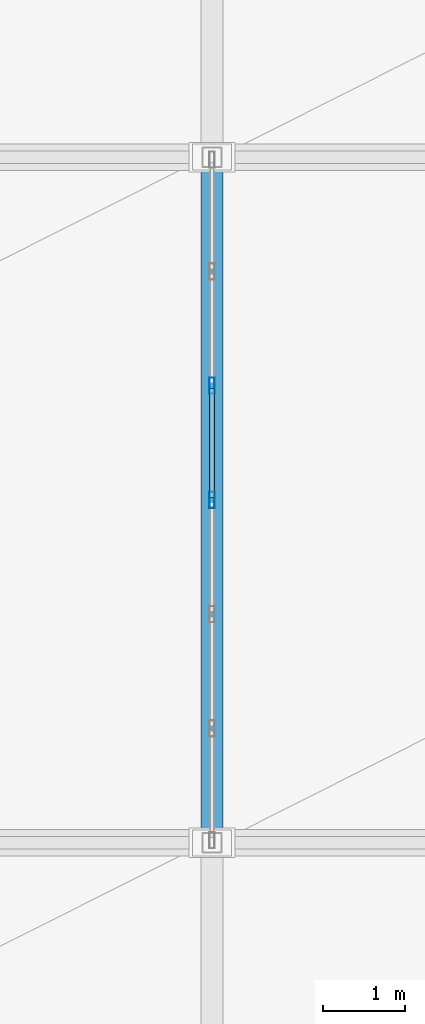
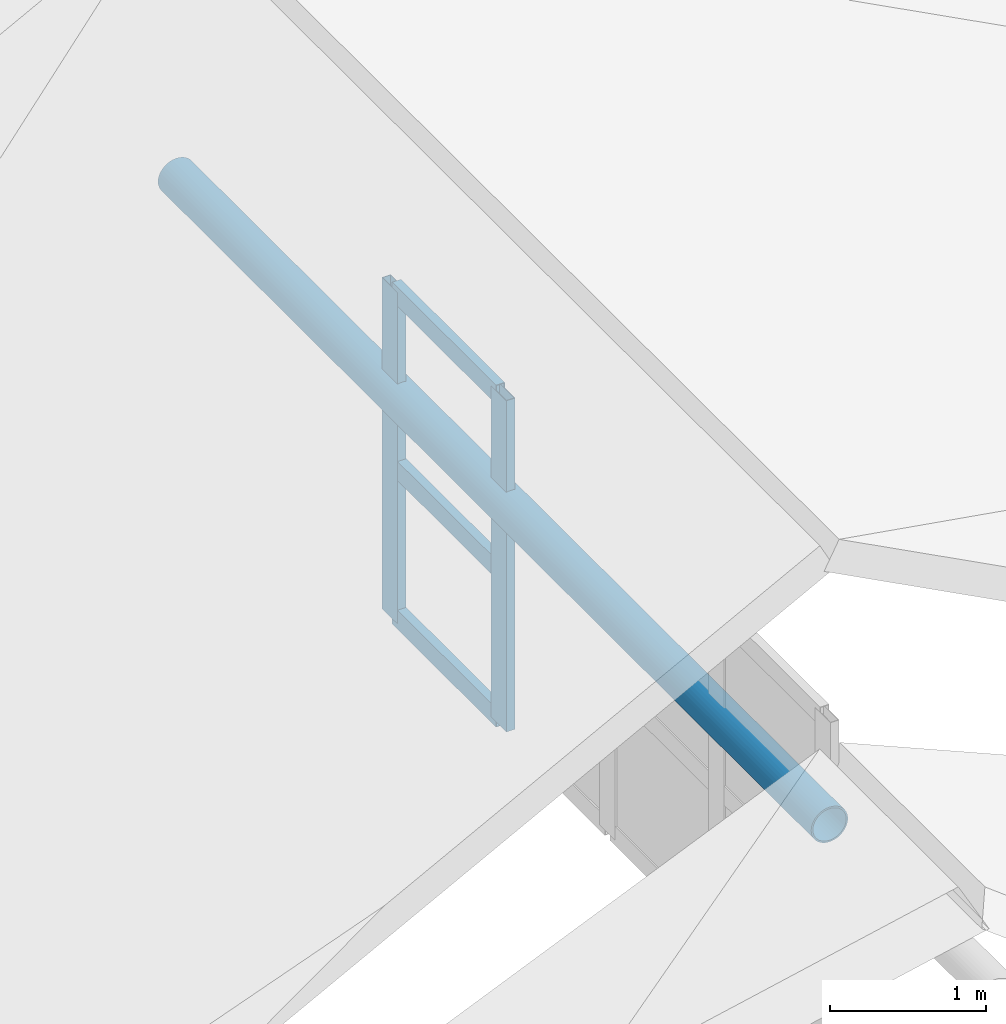
# One storey, part 18 of 76: 6 members, 1 element without a shape of its own.
"""IFC4 building model written with IfcOpenShell, lengths in metres."""

from ifc_helpers import new_model, si_unit, direction, frame, origin, origin_2d, place, context, subcontext, project, spatial, hollow_rectangle, hollow_circle, extrude, material, layer, layer_set, material_profile, profile_set, type_object, element, aggregate, save


model = new_model("IFC4")

# Units and contexts
model_context = context("Model", 3, precision=1e-05, world=origin(), true_north=direction((0.0, 1.0)))
body_context = subcontext(model_context, "Body", "Model", "MODEL_VIEW")
ifc_project = project(units=[si_unit("LENGTHUNIT", "METRE"), si_unit("AREAUNIT", "SQUARE_METRE"), si_unit("VOLUMEUNIT", "CUBIC_METRE"), si_unit("PLANEANGLEUNIT", "RADIAN"), si_unit("MASSUNIT", "GRAM", prefix="KILO")], contexts=[model_context])

# Site, building, storey
site_placement = place(None, origin())
site = spatial("IfcSite", under=ifc_project, at=site_placement, CompositionType="ELEMENT")
building_placement = place(site_placement, origin())
building = spatial("IfcBuilding", under=site, at=building_placement, Name="Krzemoval Escarpment Law Courts", CompositionType="ELEMENT")
storey_placement = place(building_placement, frame((0.0, 0.0, 20.39990234375)))
storey = spatial("IfcBuildingStorey", under=building, at=storey_placement, Name="L04", CompositionType="ELEMENT", Elevation=20.39990234375)

# Curtain wall, members
ifc_material_1 = material(Name="Aluminium 6063-T6", Category="aluminium")
ifc_layer = layer(ifc_material_1, 0.199951171875)
ifc_layer_set = layer_set([ifc_layer], Name="Aluminium 6063-T6")
curtain_wall_type = type_object("IfcCurtainWallType", Name="CW-CLER-2800", PredefinedType="USERDEFINED", material=ifc_layer_set)
curtain_wall_placement = place(storey_placement, origin())
curtain_wall = element("IfcCurtainWall", 1, at=curtain_wall_placement, inside=storey, type_object=curtain_wall_type, Name="Clerestory Curtain Wall CW-CLER-V4-02", ObjectType="UNITISED_CURTAIN_WALL", PredefinedType="USERDEFINED")
ifc_material_2 = material(Name="Aluminium 6063-T6", Category="aluminium")
ifc_material_profile_1 = material_profile(ifc_material_2, hollow_rectangle(XDim=0.06494140625, YDim=0.199951171875, WallThickness=0.00439453125, at=origin_2d()), Name="ALU M65x200")
ifc_profile_set_1 = profile_set([ifc_material_profile_1], Name="Aluminium 6063-T6")
member_type_1 = type_object("IfcMemberType", Name="CWM-65x200", PredefinedType="MULLION", material=ifc_profile_set_1)
member_1_placement = place(storey_placement, frame((25.199951171875, 61.800048828125, 4.800048828125), z_axis=(0.0, 0.0, 1.0), x_axis=(-1.0, 0.0, 0.0)))
member_1 = element("IfcMember", 2, at=member_1_placement, type_object=member_type_1, Name="CW-CLER-V4-02 mullion 4", PredefinedType="MULLION", context=body_context, shape_type="SweptSolid", body=[
    extrude(hollow_rectangle(XDim=0.06494140625, YDim=0.199951171875, WallThickness=0.00439453125, at=origin_2d()), origin(), (0.0, 0.0, 1.0), 2.60009765625),
])
member_2_placement = place(storey_placement, frame((25.199951171875, 63.199951171875, 4.800048828125), z_axis=(0.0, 0.0, 1.0), x_axis=(-1.0, 0.0, 0.0)))
member_2 = element("IfcMember", 3, at=member_2_placement, type_object=member_type_1, Name="CW-CLER-V4-02 mullion 5", PredefinedType="MULLION", context=body_context, shape_type="SweptSolid", body=[
    extrude(hollow_rectangle(XDim=0.06494140625, YDim=0.199951171875, WallThickness=0.00439453125, at=origin_2d()), origin(), (0.0, 0.0, 1.0), 2.60009765625),
])
ifc_material_3 = material(Name="Aluminium 6063-T6", Category="aluminium")
ifc_material_profile_2 = material_profile(ifc_material_3, hollow_rectangle(XDim=0.06494140625, YDim=0.14990234375, WallThickness=0.00439453125, at=origin_2d()), Name="ALU T65x150")
ifc_profile_set_2 = profile_set([ifc_material_profile_2], Name="Aluminium 6063-T6")
member_type_2 = type_object("IfcMemberType", Name="CWT-65x150", PredefinedType="USERDEFINED", material=ifc_profile_set_2)
member_3_placement = place(storey_placement, frame((25.199951171875, 61.83251953125, 4.83251953125), z_axis=(0.0, 1.0, 0.0), x_axis=(-1.0, 0.0, 0.0)))
member_3 = element("IfcMember", 4, at=member_3_placement, type_object=member_type_2, Name="CW-CLER-V4-02 transom 4.1", ObjectType="TRANSOM", PredefinedType="USERDEFINED", context=body_context, shape_type="SweptSolid", body=[
    extrude(hollow_rectangle(XDim=0.06494140625, YDim=0.14990234375, WallThickness=0.00439453125, at=origin_2d()), origin(), (0.0, 0.0, 1.0), 1.3349609375),
])
member_4_placement = place(storey_placement, frame((25.199951171875, 61.83251953125, 6.0), z_axis=(0.0, 1.0, 0.0), x_axis=(-1.0, 0.0, 0.0)))
member_4 = element("IfcMember", 5, at=member_4_placement, type_object=member_type_2, Name="CW-CLER-V4-02 transom 4.2", ObjectType="TRANSOM", PredefinedType="USERDEFINED", context=body_context, shape_type="SweptSolid", body=[
    extrude(hollow_rectangle(XDim=0.06494140625, YDim=0.14990234375, WallThickness=0.00439453125, at=origin_2d()), origin(), (0.0, 0.0, 1.0), 1.3349609375),
])
member_5_placement = place(storey_placement, frame((25.199951171875, 61.83251953125, 7.36767578125), z_axis=(0.0, 1.0, 0.0), x_axis=(-1.0, 0.0, 0.0)))
member_5 = element("IfcMember", 6, at=member_5_placement, type_object=member_type_2, Name="CW-CLER-V4-02 transom 4.3", ObjectType="TRANSOM", PredefinedType="USERDEFINED", context=body_context, shape_type="SweptSolid", body=[
    extrude(hollow_rectangle(XDim=0.06494140625, YDim=0.14990234375, WallThickness=0.00439453125, at=origin_2d()), origin(), (0.0, 0.0, 1.0), 1.3349609375),
])
aggregate(curtain_wall, [member_1, member_2, member_3, member_4, member_5])

# Member
ifc_material_4 = material(Name="Steel S355", Category="steel")
ifc_material_profile_3 = material_profile(ifc_material_4, hollow_circle(Radius=0.136474609375, WallThickness=0.012451171875, at=origin_2d()), Name="CHS 273x12.5")
ifc_profile_set_3 = profile_set([ifc_material_profile_3], Name="Steel S355")
member_type_3 = type_object("IfcMemberType", Name="MBR-CHD-CHS273", PredefinedType="CHORD", material=ifc_profile_set_3)
member_6_placement = place(storey_placement, frame((25.199951171875, 57.60009765625, 6.550048828125), z_axis=(0.0, 1.0, 0.0), x_axis=(-1.0, 0.0, 0.0)))
element("IfcMember", 7, at=member_6_placement, inside=storey, type_object=member_type_3, Name="Roof Truss Top Chord TC-0064", PredefinedType="CHORD", context=body_context, shape_type="SweptSolid", body=[
    extrude(hollow_circle(Radius=0.136474609375, WallThickness=0.012451171875, at=origin_2d()), origin(), (0.0, 0.0, 1.0), 8.39990234375),
])

save(model, "model.ifc")
